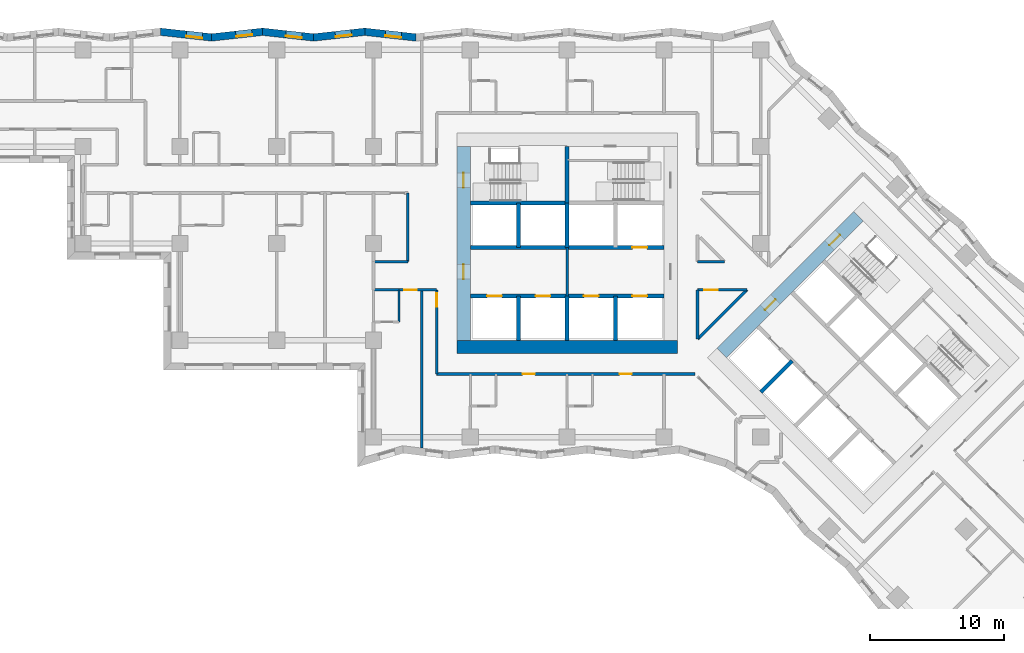
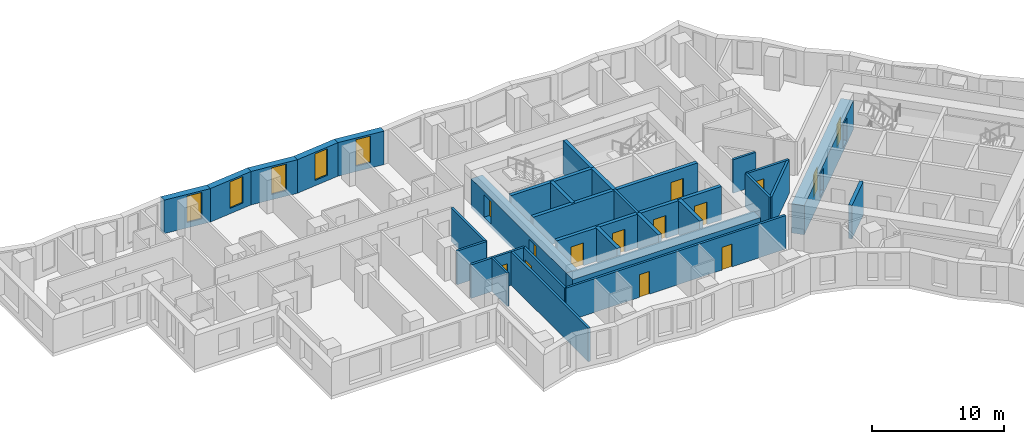
# One storey, part 5 of 13: 30 walls, 14 doors, 5 windows, 19 openings.
"""IFC4 building model written with IfcOpenShell, lengths in metres."""

from ifc_helpers import new_model, si_unit, direction, frame, frame_2d, origin, place, context, subcontext, project, spatial, polyline, rectangle, outline, extrude, material, layer, layer_set, type_object, element, fill, save


model = new_model("IFC4")

# Units and contexts
model_context = context("Model", 3, precision=1e-05, world=origin(), true_north=direction((0.0, 1.0)))
body_context = subcontext(model_context, "Body", "Model", "MODEL_VIEW")
ifc_project = project(units=[si_unit("LENGTHUNIT", "METRE"), si_unit("AREAUNIT", "SQUARE_METRE"), si_unit("VOLUMEUNIT", "CUBIC_METRE"), si_unit("PLANEANGLEUNIT", "RADIAN"), si_unit("MASSUNIT", "GRAM", prefix="KILO")], contexts=[model_context])

# Site, building, storey
site_placement = place(None, origin())
site = spatial("IfcSite", under=ifc_project, at=site_placement, CompositionType="ELEMENT")
building_placement = place(site_placement, origin())
building = spatial("IfcBuilding", under=site, at=building_placement, Name="Windrow Commons", CompositionType="ELEMENT")
storey_placement = place(building_placement, frame((0.0, 0.0, 40.6)))
storey = spatial("IfcBuildingStorey", under=building, at=storey_placement, Name="L10", CompositionType="ELEMENT", Elevation=40.6)

# Wall, opening, window
ifc_material_1 = material(Name="Brick masonry, red clay brick", Category="masonry")
ifc_layer_1 = layer(ifc_material_1, 0.55)
ifc_layer_set_1 = layer_set([ifc_layer_1], Name="Brick facade wall 550")
wall_type_1 = type_object("IfcWallType", Name="Brick facade wall 550", PredefinedType="SOLIDWALL", material=ifc_layer_set_1)
wall_1_placement = place(storey_placement, frame((53.5458, 72.9233, 0.0), z_axis=(0.0, 0.0, 1.0), x_axis=(-0.99390702, 0.1102217568, 0.0)))
wall_1 = element("IfcWall", 1, at=wall_1_placement, inside=storey, type_object=wall_type_1, Name="Brick facade wall L10 30", PredefinedType="SOLIDWALL", context=body_context, shape_type="SweptSolid", body=[
    extrude(outline(polyline([(0.0305, -0.275), (3.8501, -0.275), (3.7891, 0.275), (-0.0305, 0.275), (0.0305, -0.275)])), origin(), (0.0, 0.0, 1.0), 3.1),
])
opening_1_placement = place(wall_1_placement, frame((1.0826, 0.0, 0.5)))
opening_1 = element("IfcOpeningElement", 2, at=opening_1_placement, cuts=wall_1, Name="Opening W7D", PredefinedType="OPENING", context=body_context, shape_type="SweptSolid", body=[
    extrude(rectangle(XDim=1.2, YDim=2.45, at=frame_2d((0.6, 1.225))), frame((0.0, 0.285, 0.0), z_axis=(0.0, -1.0, 0.0), x_axis=(1.0, 0.0, 0.0)), (0.0, 0.0, 1.0), 0.57),
])
ifc_material_2 = material(Name="Clear float glass in anodised aluminium frame", Category="aluminium")
window_type = type_object("IfcWindowType", Name="Window W7 notch 1200x2450", PartitioningType="SINGLE_PANEL", PredefinedType="WINDOW", material=ifc_material_2)
window_1_placement = place(opening_1_placement, origin())
window_1 = element("IfcWindow", 3, at=window_1_placement, inside=storey, type_object=window_type, Name="Window L10 30.1", OverallHeight=2.45, OverallWidth=1.2, PartitioningType="SINGLE_PANEL", PredefinedType="WINDOW", context=body_context, shape_type="SweptSolid", body=[
    extrude(rectangle(XDim=1.2, YDim=2.45, at=frame_2d((0.6, 1.225))), frame((0.0, 0.155, 0.0), z_axis=(0.0, -1.0, 0.0), x_axis=(1.0, 0.0, 0.0)), (0.0, 0.0, 1.0), 0.06),
])
fill(opening_1, window_1)

wall_2_placement = place(storey_placement, frame((49.7495, 73.3443, 0.0), z_axis=(0.0, 0.0, 1.0), x_axis=(-0.99390702, -0.1102217568, 0.0)))
wall_2 = element("IfcWall", 4, at=wall_2_placement, inside=storey, type_object=wall_type_1, Name="Brick facade wall L10 31", PredefinedType="SOLIDWALL", context=body_context, shape_type="SweptSolid", body=[
    extrude(outline(polyline([(-0.0305, -0.275), (3.7891, -0.275), (3.8501, 0.275), (0.0305, 0.275), (-0.0305, -0.275)])), origin(), (0.0, 0.0, 1.0), 3.1),
])
opening_2_placement = place(wall_2_placement, frame((0.999, 0.0, 0.5)))
opening_2 = element("IfcOpeningElement", 5, at=opening_2_placement, cuts=wall_2, Name="Opening W7D", PredefinedType="OPENING", context=body_context, shape_type="SweptSolid", body=[
    extrude(rectangle(XDim=1.2, YDim=2.45, at=frame_2d((0.6, 1.225))), frame((0.0, 0.285, 0.0), z_axis=(0.0, -1.0, 0.0), x_axis=(1.0, 0.0, 0.0)), (0.0, 0.0, 1.0), 0.57),
])
window_2_placement = place(opening_2_placement, origin())
window_2 = element("IfcWindow", 6, at=window_2_placement, inside=storey, type_object=window_type, Name="Window L10 31.1", OverallHeight=2.45, OverallWidth=1.2, PartitioningType="SINGLE_PANEL", PredefinedType="WINDOW", context=body_context, shape_type="SweptSolid", body=[
    extrude(rectangle(XDim=1.2, YDim=2.45, at=frame_2d((0.6, 1.225))), frame((0.0, 0.155, 0.0), z_axis=(0.0, -1.0, 0.0), x_axis=(1.0, 0.0, 0.0)), (0.0, 0.0, 1.0), 0.06),
])
fill(opening_2, window_2)

wall_3_placement = place(storey_placement, frame((45.9532, 72.9233, 0.0), z_axis=(0.0, 0.0, 1.0), x_axis=(-0.99390702, 0.1102217568, 0.0)))
wall_3 = element("IfcWall", 7, at=wall_3_placement, inside=storey, type_object=wall_type_1, Name="Brick facade wall L10 32", PredefinedType="SOLIDWALL", context=body_context, shape_type="SweptSolid", body=[
    extrude(outline(polyline([(0.0305, -0.275), (3.8501, -0.275), (3.7891, 0.275), (-0.0305, 0.275), (0.0305, -0.275)])), origin(), (0.0, 0.0, 1.0), 3.1),
])
opening_3_placement = place(wall_3_placement, frame((0.885, 0.0, 0.5)))
opening_3 = element("IfcOpeningElement", 8, at=opening_3_placement, cuts=wall_3, Name="Opening W7D", PredefinedType="OPENING", context=body_context, shape_type="SweptSolid", body=[
    extrude(rectangle(XDim=1.2, YDim=2.45, at=frame_2d((0.6, 1.225))), frame((0.0, 0.285, 0.0), z_axis=(0.0, -1.0, 0.0), x_axis=(1.0, 0.0, 0.0)), (0.0, 0.0, 1.0), 0.57),
])
window_3_placement = place(opening_3_placement, origin())
window_3 = element("IfcWindow", 9, at=window_3_placement, inside=storey, type_object=window_type, Name="Window L10 32.1", OverallHeight=2.45, OverallWidth=1.2, PartitioningType="SINGLE_PANEL", PredefinedType="WINDOW", context=body_context, shape_type="SweptSolid", body=[
    extrude(rectangle(XDim=1.2, YDim=2.45, at=frame_2d((0.6, 1.225))), frame((0.0, 0.155, 0.0), z_axis=(0.0, -1.0, 0.0), x_axis=(1.0, 0.0, 0.0)), (0.0, 0.0, 1.0), 0.06),
])
fill(opening_3, window_3)

wall_4_placement = place(storey_placement, frame((42.1569, 73.3443, 0.0), z_axis=(0.0, 0.0, 1.0), x_axis=(-0.99390702, -0.1102217568, 0.0)))
wall_4 = element("IfcWall", 10, at=wall_4_placement, inside=storey, type_object=wall_type_1, Name="Brick facade wall L10 33", PredefinedType="SOLIDWALL", context=body_context, shape_type="SweptSolid", body=[
    extrude(outline(polyline([(-0.0305, -0.275), (3.7891, -0.275), (3.8501, 0.275), (0.0305, 0.275), (-0.0305, -0.275)])), origin(), (0.0, 0.0, 1.0), 3.1),
])
opening_4_placement = place(wall_4_placement, frame((0.8015, 0.0, 0.5)))
opening_4 = element("IfcOpeningElement", 11, at=opening_4_placement, cuts=wall_4, Name="Opening W7D", PredefinedType="OPENING", context=body_context, shape_type="SweptSolid", body=[
    extrude(rectangle(XDim=1.2, YDim=2.45, at=frame_2d((0.6, 1.225))), frame((0.0, 0.285, 0.0), z_axis=(0.0, -1.0, 0.0), x_axis=(1.0, 0.0, 0.0)), (0.0, 0.0, 1.0), 0.57),
])
window_4_placement = place(opening_4_placement, origin())
window_4 = element("IfcWindow", 12, at=window_4_placement, inside=storey, type_object=window_type, Name="Window L10 33.1", OverallHeight=2.45, OverallWidth=1.2, PartitioningType="SINGLE_PANEL", PredefinedType="WINDOW", context=body_context, shape_type="SweptSolid", body=[
    extrude(rectangle(XDim=1.2, YDim=2.45, at=frame_2d((0.6, 1.225))), frame((0.0, 0.155, 0.0), z_axis=(0.0, -1.0, 0.0), x_axis=(1.0, 0.0, 0.0)), (0.0, 0.0, 1.0), 0.06),
])
fill(opening_4, window_4)

wall_5_placement = place(storey_placement, frame((38.3606, 72.9233, 0.0), z_axis=(0.0, 0.0, 1.0), x_axis=(-0.99390702, 0.1102217568, 0.0)))
wall_5 = element("IfcWall", 13, at=wall_5_placement, inside=storey, type_object=wall_type_1, Name="Brick facade wall L10 34", PredefinedType="SOLIDWALL", context=body_context, shape_type="SweptSolid", body=[
    extrude(outline(polyline([(0.0305, -0.275), (3.8501, -0.275), (3.7891, 0.275), (-0.0305, 0.275), (0.0305, -0.275)])), origin(), (0.0, 0.0, 1.0), 3.1),
])
opening_5_placement = place(wall_5_placement, frame((0.6875, 0.0, 0.5)))
opening_5 = element("IfcOpeningElement", 14, at=opening_5_placement, cuts=wall_5, Name="Opening W7D", PredefinedType="OPENING", context=body_context, shape_type="SweptSolid", body=[
    extrude(rectangle(XDim=1.2, YDim=2.45, at=frame_2d((0.6, 1.225))), frame((0.0, 0.285, 0.0), z_axis=(0.0, -1.0, 0.0), x_axis=(1.0, 0.0, 0.0)), (0.0, 0.0, 1.0), 0.57),
])
window_5_placement = place(opening_5_placement, origin())
window_5 = element("IfcWindow", 15, at=window_5_placement, inside=storey, type_object=window_type, Name="Window L10 34.1", OverallHeight=2.45, OverallWidth=1.2, PartitioningType="SINGLE_PANEL", PredefinedType="WINDOW", context=body_context, shape_type="SweptSolid", body=[
    extrude(rectangle(XDim=1.2, YDim=2.45, at=frame_2d((0.6, 1.225))), frame((0.0, 0.155, 0.0), z_axis=(0.0, -1.0, 0.0), x_axis=(1.0, 0.0, 0.0)), (0.0, 0.0, 1.0), 0.06),
])
fill(opening_5, window_5)

# Wall
ifc_material_3 = material(Name="Blockwork partition", Category="masonry")
ifc_layer_2 = layer(ifc_material_3, 0.2)
ifc_layer_set_2 = layer_set([ifc_layer_2], Name="Fire lobby partition 200")
wall_type_2 = type_object("IfcWallType", Name="Fire lobby partition 200", PredefinedType="PARTITIONING", material=ifc_layer_set_2)
wall_6_placement = place(storey_placement, frame((64.8, 53.7, 0.0), z_axis=(0.0, 0.0, 1.0), x_axis=(0.0, 1.0, 0.0)))
element("IfcWall", 16, at=wall_6_placement, inside=storey, type_object=wall_type_2, Name="W-core-lobby-A-L10", PredefinedType="PARTITIONING", context=body_context, shape_type="SweptSolid", body=[
    extrude(rectangle(XDim=3.6, YDim=0.2, at=frame_2d((1.8, 0.0))), origin(), (0.0, 0.0, 1.0), 3.1),
])

# Wall, openings, doors
ifc_material_4 = material(Name="Blockwork partition", Category="masonry")
ifc_layer_3 = layer(ifc_material_4, 0.2)
ifc_layer_set_3 = layer_set([ifc_layer_3], Name="IW-CORRIDOR-200")
wall_type_3 = type_object("IfcWallType", Name="IW-CORRIDOR-200", PredefinedType="PARTITIONING", material=ifc_layer_set_3)
wall_7_placement = place(storey_placement, frame((55.1, 47.9, 0.0), z_axis=(0.0, 0.0, 1.0), x_axis=(1.0, 0.0, 0.0)))
wall_7 = element("IfcWall", 17, at=wall_7_placement, inside=storey, type_object=wall_type_3, Name="W-L10-W003", PredefinedType="PARTITIONING", context=body_context, shape_type="SweptSolid", body=[
    extrude(rectangle(XDim=19.204, YDim=0.2, at=frame_2d((9.602, 0.0))), origin(), (0.0, 0.0, 1.0), 3.1),
])
opening_6_placement = place(wall_7_placement, frame((6.3994, 0.0, 0.0)))
opening_6 = element("IfcOpeningElement", 18, at=opening_6_placement, cuts=wall_7, Name="Opening D109F", PredefinedType="OPENING", context=body_context, shape_type="SweptSolid", body=[
    extrude(rectangle(XDim=0.9, YDim=2.1, at=frame_2d((0.45, 1.05))), frame((0.0, 0.11, 0.0), z_axis=(0.0, -1.0, 0.0), x_axis=(1.0, 0.0, 0.0)), (0.0, 0.0, 1.0), 0.22),
])
opening_7_placement = place(wall_7_placement, frame((13.5994, 0.0, 0.0)))
opening_7 = element("IfcOpeningElement", 19, at=opening_7_placement, cuts=wall_7, Name="Opening D109F", PredefinedType="OPENING", context=body_context, shape_type="SweptSolid", body=[
    extrude(rectangle(XDim=0.9, YDim=2.1, at=frame_2d((0.45, 1.05))), frame((0.0, 0.11, 0.0), z_axis=(0.0, -1.0, 0.0), x_axis=(1.0, 0.0, 0.0)), (0.0, 0.0, 1.0), 0.22),
])
ifc_material_5 = material(Name="Timber door leaf", Category="wood")
door_type_1 = type_object("IfcDoorType", Name="DT-BEDROOM-900", OperationType="SINGLE_SWING_LEFT", PredefinedType="DOOR", material=ifc_material_5)
door_1_placement = place(opening_6_placement, origin())
door_1 = element("IfcDoor", 20, at=door_1_placement, inside=storey, type_object=door_type_1, Name="D-L10-D032", OperationType="SINGLE_SWING_LEFT", OverallHeight=2.1, OverallWidth=0.9, PredefinedType="DOOR", context=body_context, shape_type="SweptSolid", body=[
    extrude(rectangle(XDim=0.9, YDim=2.1, at=frame_2d((0.45, 1.05))), frame((0.0, 0.025, 0.0), z_axis=(0.0, -1.0, 0.0), x_axis=(1.0, 0.0, 0.0)), (0.0, 0.0, 1.0), 0.05),
])
fill(opening_6, door_1)
door_2_placement = place(opening_7_placement, origin())
door_2 = element("IfcDoor", 21, at=door_2_placement, inside=storey, type_object=door_type_1, Name="D-L10-D034", OperationType="SINGLE_SWING_LEFT", OverallHeight=2.1, OverallWidth=0.9, PredefinedType="DOOR", context=body_context, shape_type="SweptSolid", body=[
    extrude(rectangle(XDim=0.9, YDim=2.1, at=frame_2d((0.45, 1.05))), frame((0.0, 0.025, 0.0), z_axis=(0.0, -1.0, 0.0), x_axis=(1.0, 0.0, 0.0)), (0.0, 0.0, 1.0), 0.05),
])
fill(opening_7, door_2)

# Wall, opening, door
wall_8_placement = place(storey_placement, frame((55.1, 47.9, 0.0), z_axis=(0.0, 0.0, 1.0), x_axis=(0.0, 1.0, 0.0)))
wall_8 = element("IfcWall", 22, at=wall_8_placement, inside=storey, type_object=wall_type_3, Name="W-L10-W023", PredefinedType="PARTITIONING", context=body_context, shape_type="SweptSolid", body=[
    extrude(rectangle(XDim=6.25, YDim=0.2, at=frame_2d((3.125, 0.0))), origin(), (0.0, 0.0, 1.0), 3.1),
])
opening_8_placement = place(wall_8_placement, frame((4.9905, 0.0, 0.0)))
opening_8 = element("IfcOpeningElement", 23, at=opening_8_placement, cuts=wall_8, Name="Opening D310F", PredefinedType="OPENING", context=body_context, shape_type="SweptSolid", body=[
    extrude(rectangle(XDim=1.0, YDim=2.1, at=frame_2d((0.5, 1.05))), frame((0.0, 0.11, 0.0), z_axis=(0.0, -1.0, 0.0), x_axis=(1.0, 0.0, 0.0)), (0.0, 0.0, 1.0), 0.22),
])
ifc_material_6 = material(Name="Timber door leaf", Category="wood")
door_type_2 = type_object("IfcDoorType", Name="DT-AMENITY-1000", OperationType="SINGLE_SWING_LEFT", PredefinedType="DOOR", material=ifc_material_6)
door_3_placement = place(opening_8_placement, origin())
door_3 = element("IfcDoor", 24, at=door_3_placement, inside=storey, type_object=door_type_2, Name="D-L10-D027", OperationType="SINGLE_SWING_RIGHT", OverallHeight=2.1, OverallWidth=1.0, PredefinedType="DOOR", context=body_context, shape_type="SweptSolid", body=[
    extrude(rectangle(XDim=1.0, YDim=2.1, at=frame_2d((0.5, 1.05))), frame((0.0, 0.025, 0.0), z_axis=(0.0, -1.0, 0.0), x_axis=(1.0, 0.0, 0.0)), (0.0, 0.0, 1.0), 0.05),
])
fill(opening_8, door_3)

# Walls
wall_9_placement = place(storey_placement, frame((74.5167, 50.4893, 0.0), z_axis=(0.0, 0.0, 1.0), x_axis=(0.7071067812, 0.7071067812, 0.0)))
element("IfcWall", 25, at=wall_9_placement, inside=storey, type_object=wall_type_3, Name="W-L10-W039", PredefinedType="PARTITIONING", context=body_context, shape_type="SweptSolid", body=[
    extrude(rectangle(XDim=5.176, YDim=0.2, at=frame_2d((2.588, 0.0))), origin(), (0.0, 0.0, 1.0), 3.1),
])
wall_10_placement = place(storey_placement, frame((52.95, 56.252, 0.0), z_axis=(0.0, 0.0, 1.0), x_axis=(0.0, 1.0, 0.0)))
element("IfcWall", 26, at=wall_10_placement, inside=storey, type_object=wall_type_3, Name="W-L10-W040", PredefinedType="PARTITIONING", context=body_context, shape_type="SweptSolid", body=[
    extrude(rectangle(XDim=5.098, YDim=0.2, at=frame_2d((2.549, 0.0))), origin(), (0.0, 0.0, 1.0), 3.1),
])

# Wall, opening, door
wall_11_placement = place(storey_placement, frame((50.4, 54.15, 0.0), z_axis=(0.0, 0.0, 1.0), x_axis=(1.0, 0.0, 0.0)))
wall_11 = element("IfcWall", 27, at=wall_11_placement, inside=storey, type_object=wall_type_3, Name="W-L10-W042", PredefinedType="PARTITIONING", context=body_context, shape_type="SweptSolid", body=[
    extrude(rectangle(XDim=4.7, YDim=0.2, at=frame_2d((2.35, 0.0))), origin(), (0.0, 0.0, 1.0), 3.1),
])
opening_9_placement = place(wall_11_placement, frame((2.3, 0.0, 0.0)))
opening_9 = element("IfcOpeningElement", 28, at=opening_9_placement, cuts=wall_11, Name="Opening D109S", PredefinedType="OPENING", context=body_context, shape_type="SweptSolid", body=[
    extrude(rectangle(XDim=0.9, YDim=2.1, at=frame_2d((0.45, 1.05))), frame((0.0, 0.11, 0.0), z_axis=(0.0, -1.0, 0.0), x_axis=(1.0, 0.0, 0.0)), (0.0, 0.0, 1.0), 0.22),
])
door_4_placement = place(opening_9_placement, origin())
door_4 = element("IfcDoor", 29, at=door_4_placement, inside=storey, type_object=door_type_1, Name="D-L10-D025", OperationType="SINGLE_SWING_LEFT", OverallHeight=2.1, OverallWidth=0.9, PredefinedType="DOOR", context=body_context, shape_type="SweptSolid", body=[
    extrude(rectangle(XDim=0.9, YDim=2.1, at=frame_2d((0.45, 1.05))), frame((0.0, 0.025, 0.0), z_axis=(0.0, -1.0, 0.0), x_axis=(1.0, 0.0, 0.0)), (0.0, 0.0, 1.0), 0.05),
])
fill(opening_9, door_4)

wall_12_placement = place(storey_placement, frame((74.51, 54.15, 0.0), z_axis=(0.0, 0.0, 1.0), x_axis=(1.0, 0.0, 0.0)))
wall_12 = element("IfcWall", 30, at=wall_12_placement, inside=storey, type_object=wall_type_3, Name="W-L10-W053", PredefinedType="PARTITIONING", context=body_context, shape_type="SweptSolid", body=[
    extrude(rectangle(XDim=3.666, YDim=0.2, at=frame_2d((1.833, 0.0))), origin(), (0.0, 0.0, 1.0), 3.1),
])
opening_10_placement = place(wall_12_placement, frame((0.5025, 0.0, 0.0)))
opening_10 = element("IfcOpeningElement", 31, at=opening_10_placement, cuts=wall_12, Name="Opening D310F", PredefinedType="OPENING", context=body_context, shape_type="SweptSolid", body=[
    extrude(rectangle(XDim=1.0, YDim=2.1, at=frame_2d((0.5, 1.05))), frame((0.0, 0.11, 0.0), z_axis=(0.0, -1.0, 0.0), x_axis=(1.0, 0.0, 0.0)), (0.0, 0.0, 1.0), 0.22),
])
door_5_placement = place(opening_10_placement, origin())
door_5 = element("IfcDoor", 32, at=door_5_placement, inside=storey, type_object=door_type_2, Name="D-L10-D000", OperationType="SINGLE_SWING_RIGHT", OverallHeight=2.1, OverallWidth=1.0, PredefinedType="DOOR", context=body_context, shape_type="SweptSolid", body=[
    extrude(rectangle(XDim=1.0, YDim=2.1, at=frame_2d((0.5, 1.05))), frame((0.0, 0.025, 0.0), z_axis=(0.0, -1.0, 0.0), x_axis=(1.0, 0.0, 0.0)), (0.0, 0.0, 1.0), 0.05),
])
fill(opening_10, door_5)

# Walls
wall_13_placement = place(storey_placement, frame((74.5, 50.496, 0.0), z_axis=(0.0, 0.0, 1.0), x_axis=(0.0, 1.0, 0.0)))
element("IfcWall", 33, at=wall_13_placement, inside=storey, type_object=wall_type_3, Name="W-L10-W054", PredefinedType="PARTITIONING", context=body_context, shape_type="SweptSolid", body=[
    extrude(rectangle(XDim=3.644, YDim=0.2, at=frame_2d((1.822, 0.0))), origin(), (0.0, 0.0, 1.0), 3.1),
])
wall_14_placement = place(storey_placement, frame((50.4, 56.25, 0.0), z_axis=(0.0, 0.0, 1.0), x_axis=(1.0, 0.0, 0.0)))
element("IfcWall", 34, at=wall_14_placement, inside=storey, type_object=wall_type_3, Name="W-L10-W066", PredefinedType="PARTITIONING", context=body_context, shape_type="SweptSolid", body=[
    extrude(rectangle(XDim=2.55, YDim=0.2, at=frame_2d((1.275, 0.0))), origin(), (0.0, 0.0, 1.0), 3.1),
])
wall_15_placement = place(storey_placement, frame((74.51, 56.25, 0.0), z_axis=(0.0, 0.0, 1.0), x_axis=(1.0, 0.0, 0.0)))
element("IfcWall", 35, at=wall_15_placement, inside=storey, type_object=wall_type_3, Name="W-L10-W121", PredefinedType="PARTITIONING", context=body_context, shape_type="SweptSolid", body=[
    extrude(rectangle(XDim=1.982, YDim=0.2, at=frame_2d((0.991, 0.0))), origin(), (0.0, 0.0, 1.0), 3.1),
])
ifc_material_7 = material(Name="Blockwork partition", Category="masonry")
ifc_layer_4 = layer(ifc_material_7, 0.15)
ifc_layer_set_4 = layer_set([ifc_layer_4], Name="IW-ENSUITE-150")
wall_type_4 = type_object("IfcWallType", Name="IW-ENSUITE-150", PredefinedType="PARTITIONING", material=ifc_layer_set_4)
wall_16_placement = place(storey_placement, frame((52.3, 51.75, 0.0), z_axis=(0.0, 0.0, 1.0), x_axis=(0.0, 1.0, 0.0)))
element("IfcWall", 36, at=wall_16_placement, inside=storey, type_object=wall_type_4, Name="W-L10-W086", PredefinedType="PARTITIONING", context=body_context, shape_type="SweptSolid", body=[
    extrude(rectangle(XDim=2.4, YDim=0.15, at=frame_2d((1.2, 0.0))), origin(), (0.0, 0.0, 1.0), 3.1),
])
ifc_material_8 = material(Name="Blockwork partition", Category="masonry")
ifc_layer_5 = layer(ifc_material_8, 0.2)
ifc_layer_set_5 = layer_set([ifc_layer_5], Name="IW-PARTY-200")
wall_type_5 = type_object("IfcWallType", Name="IW-PARTY-200", PredefinedType="PARTITIONING", material=ifc_layer_set_5)
wall_17_placement = place(storey_placement, frame((54.0, 42.3837, 0.0), z_axis=(0.0, 0.0, 1.0), x_axis=(0.0, 1.0, 0.0)))
element("IfcWall", 37, at=wall_17_placement, inside=storey, type_object=wall_type_5, Name="W-L10-W008", PredefinedType="PARTITIONING", context=body_context, shape_type="SweptSolid", body=[
    extrude(rectangle(XDim=11.7663, YDim=0.2, at=frame_2d((5.8831, 0.0))), origin(), (0.0, 0.0, 1.0), 3.1),
])
ifc_material_9 = material(Name="Concrete C60/75", Category="concrete")
ifc_layer_6 = layer(ifc_material_9, 1.0)
ifc_layer_set_6 = layer_set([ifc_layer_6], Name="RC CORE WALL 1000 C60/75")
wall_type_6 = type_object("IfcWallType", Name="RC CORE WALL 1000 C60/75", PredefinedType="SHEAR", material=ifc_layer_set_6)
wall_18_placement = place(storey_placement, frame((56.6, 49.9, -0.3), z_axis=(0.0, 0.0, 1.0), x_axis=(1.0, 0.0, 0.0)))
element("IfcWall", 38, at=wall_18_placement, inside=storey, type_object=wall_type_6, Name="Core A wall outer-S", PredefinedType="SHEAR", context=body_context, shape_type="SweptSolid", body=[
    extrude(rectangle(XDim=16.4, YDim=1.0, at=frame_2d((8.2, 0.0))), origin(), (0.0, 0.0, 1.0), 2.7),
])

# Wall, openings, doors
wall_19_placement = place(storey_placement, frame((57.1, 50.4, -0.3), z_axis=(0.0, 0.0, 1.0), x_axis=(0.0, 1.0, 0.0)))
wall_19 = element("IfcWall", 39, at=wall_19_placement, inside=storey, type_object=wall_type_6, Name="Core A wall outer-W", PredefinedType="SHEAR", context=body_context, shape_type="SweptSolid", body=[
    extrude(rectangle(XDim=14.4, YDim=1.0, at=frame_2d((7.2, 0.0))), origin(), (0.0, 0.0, 1.0), 2.7),
])
opening_11_placement = place(wall_19_placement, frame((4.55, 0.0, 0.3)))
opening_11 = element("IfcOpeningElement", 40, at=opening_11_placement, cuts=wall_19, Name="Opening D6", PredefinedType="OPENING", context=body_context, shape_type="SweptSolid", body=[
    extrude(rectangle(XDim=1.1, YDim=2.1, at=frame_2d((0.55, 1.05))), frame((0.0, 0.51, 0.0), z_axis=(0.0, -1.0, 0.0), x_axis=(1.0, 0.0, 0.0)), (0.0, 0.0, 1.0), 1.02),
])
opening_12_placement = place(wall_19_placement, frame((11.35, 0.0, 0.3)))
opening_12 = element("IfcOpeningElement", 41, at=opening_12_placement, cuts=wall_19, Name="Opening D7", PredefinedType="OPENING", context=body_context, shape_type="SweptSolid", body=[
    extrude(rectangle(XDim=1.1, YDim=2.1, at=frame_2d((0.55, 1.05))), frame((0.0, 0.51, 0.0), z_axis=(0.0, -1.0, 0.0), x_axis=(1.0, 0.0, 0.0)), (0.0, 0.0, 1.0), 1.02),
])
ifc_material_10 = material(Name="Steel fire door leaf", Category="steel")
door_type_3 = type_object("IfcDoorType", Name="Core lobby door 1100", OperationType="SINGLE_SWING_LEFT", PredefinedType="DOOR", material=ifc_material_10)
door_6_placement = place(opening_11_placement, origin())
door_6 = element("IfcDoor", 42, at=door_6_placement, inside=storey, type_object=door_type_3, Name="Lift lobby door", OperationType="DOUBLE_DOOR_SINGLE_SWING", OverallHeight=2.1, OverallWidth=1.1, PredefinedType="DOOR", context=body_context, shape_type="SweptSolid", body=[
    extrude(rectangle(XDim=1.1, YDim=2.1, at=frame_2d((0.55, 1.05))), frame((0.0, 0.025, 0.0), z_axis=(0.0, -1.0, 0.0), x_axis=(1.0, 0.0, 0.0)), (0.0, 0.0, 1.0), 0.05),
])
fill(opening_11, door_6)
ifc_material_11 = material(Name="Steel fire door leaf", Category="steel")
door_type_4 = type_object("IfcDoorType", Name="Stair door 1100", OperationType="SINGLE_SWING_LEFT", PredefinedType="DOOR", material=ifc_material_11)
door_7_placement = place(opening_12_placement, origin())
door_7 = element("IfcDoor", 43, at=door_7_placement, inside=storey, type_object=door_type_4, Name="Stair door", OperationType="SINGLE_SWING_LEFT", OverallHeight=2.1, OverallWidth=1.1, PredefinedType="DOOR", context=body_context, shape_type="SweptSolid", body=[
    extrude(rectangle(XDim=1.1, YDim=2.1, at=frame_2d((0.55, 1.05))), frame((0.0, 0.025, 0.0), z_axis=(0.0, -1.0, 0.0), x_axis=(1.0, 0.0, 0.0)), (0.0, 0.0, 1.0), 0.05),
])
fill(opening_12, door_7)

wall_20_placement = place(storey_placement, frame((76.3009, 49.4433, -0.3), z_axis=(0.0, 0.0, 1.0), x_axis=(0.7071067812, 0.7071067812, 0.0)))
wall_20 = element("IfcWall", 44, at=wall_20_placement, inside=storey, type_object=wall_type_6, Name="Core B wall outer-W", PredefinedType="SHEAR", context=body_context, shape_type="SweptSolid", body=[
    extrude(rectangle(XDim=14.3999, YDim=1.0, at=frame_2d((7.2, 0.0))), origin(), (0.0, 0.0, 1.0), 2.7),
])
opening_13_placement = place(wall_20_placement, frame((4.55, 0.0, 0.3)))
opening_13 = element("IfcOpeningElement", 45, at=opening_13_placement, cuts=wall_20, Name="Opening D6", PredefinedType="OPENING", context=body_context, shape_type="SweptSolid", body=[
    extrude(rectangle(XDim=1.1, YDim=2.1, at=frame_2d((0.55, 1.05))), frame((0.0, 0.51, 0.0), z_axis=(0.0, -1.0, 0.0), x_axis=(1.0, 0.0, 0.0)), (0.0, 0.0, 1.0), 1.02),
])
opening_14_placement = place(wall_20_placement, frame((11.35, 0.0, 0.3)))
opening_14 = element("IfcOpeningElement", 46, at=opening_14_placement, cuts=wall_20, Name="Opening D7", PredefinedType="OPENING", context=body_context, shape_type="SweptSolid", body=[
    extrude(rectangle(XDim=1.1, YDim=2.1, at=frame_2d((0.55, 1.05))), frame((0.0, 0.51, 0.0), z_axis=(0.0, -1.0, 0.0), x_axis=(1.0, 0.0, 0.0)), (0.0, 0.0, 1.0), 1.02),
])
door_8_placement = place(opening_13_placement, origin())
door_8 = element("IfcDoor", 47, at=door_8_placement, inside=storey, type_object=door_type_3, Name="Lift lobby door", OperationType="DOUBLE_DOOR_SINGLE_SWING", OverallHeight=2.1, OverallWidth=1.1, PredefinedType="DOOR", context=body_context, shape_type="SweptSolid", body=[
    extrude(rectangle(XDim=1.1, YDim=2.1, at=frame_2d((0.55, 1.05))), frame((0.0, 0.025, 0.0), z_axis=(0.0, -1.0, 0.0), x_axis=(1.0, 0.0, 0.0)), (0.0, 0.0, 1.0), 0.05),
])
fill(opening_13, door_8)
door_9_placement = place(opening_14_placement, origin())
door_9 = element("IfcDoor", 48, at=door_9_placement, inside=storey, type_object=door_type_4, Name="Stair door", OperationType="SINGLE_SWING_LEFT", OverallHeight=2.1, OverallWidth=1.1, PredefinedType="DOOR", context=body_context, shape_type="SweptSolid", body=[
    extrude(rectangle(XDim=1.1, YDim=2.1, at=frame_2d((0.55, 1.05))), frame((0.0, 0.025, 0.0), z_axis=(0.0, -1.0, 0.0), x_axis=(1.0, 0.0, 0.0)), (0.0, 0.0, 1.0), 0.05),
])
fill(opening_14, door_9)

# Walls
ifc_material_12 = material(Name="Concrete C60/75", Category="concrete")
ifc_layer_7 = layer(ifc_material_12, 0.3)
ifc_layer_set_7 = layer_set([ifc_layer_7], Name="RC SHAFT WALL 300 C60/75")
wall_type_7 = type_object("IfcWallType", Name="RC SHAFT WALL 300 C60/75", PredefinedType="SOLIDWALL", material=ifc_layer_set_7)
for number, where, z_axis, x_axis, name in (
    (49, (61.2, 50.4, 0.0), (0.0, 0.0, 1.0), (0.0, 1.0, 0.0), "Core A wall shaft-S1"),
    (50, (61.2, 57.3, 0.0), (0.0, 0.0, 1.0), (0.0, 1.0, 0.0), "Core A wall shaft-N1"),
    (51, (64.8, 50.4, 0.0), (0.0, 0.0, 1.0), (0.0, 1.0, 0.0), "Core A wall shaft-S2"),
    (52, (64.8, 57.3, 0.0), (0.0, 0.0, 1.0), (0.0, 1.0, 0.0), "Core A wall shaft-N2"),
    (53, (68.4, 50.4, 0.0), (0.0, 0.0, 1.0), (0.0, 1.0, 0.0), "Core A wall shaft-S3"),
):
    element("IfcWall", number, at=place(storey_placement, frame(where, z_axis=z_axis, x_axis=x_axis)), inside=storey, type_object=wall_type_7, Name=name, PredefinedType="SOLIDWALL", context=body_context, shape_type="SweptSolid", body=[
        extrude(rectangle(XDim=3.3, YDim=0.3, at=frame_2d((1.65, 0.0))), origin(), (0.0, 0.0, 1.0), 3.1),
    ])

# Wall, openings, doors
wall_21_placement = place(storey_placement, frame((57.6, 53.7, 0.0), z_axis=(0.0, 0.0, 1.0), x_axis=(1.0, 0.0, 0.0)))
wall_21 = element("IfcWall", 54, at=wall_21_placement, inside=storey, type_object=wall_type_7, Name="Core A wall lobby-S", PredefinedType="SOLIDWALL", context=body_context, shape_type="SweptSolid", body=[
    extrude(rectangle(XDim=14.4, YDim=0.3, at=frame_2d((7.2, 0.0))), origin(), (0.0, 0.0, 1.0), 3.1),
])
opening_15_placement = place(wall_21_placement, frame((1.25, 0.0, 0.0)))
opening_15 = element("IfcOpeningElement", 55, at=opening_15_placement, cuts=wall_21, Name="Opening LD", PredefinedType="OPENING", context=body_context, shape_type="SweptSolid", body=[
    extrude(rectangle(XDim=1.1, YDim=2.1, at=frame_2d((0.55, 1.05))), frame((0.0, 0.16, 0.0), z_axis=(0.0, -1.0, 0.0), x_axis=(1.0, 0.0, 0.0)), (0.0, 0.0, 1.0), 0.32),
])
opening_16_placement = place(wall_21_placement, frame((4.85, 0.0, 0.0)))
opening_16 = element("IfcOpeningElement", 56, at=opening_16_placement, cuts=wall_21, Name="Opening LD", PredefinedType="OPENING", context=body_context, shape_type="SweptSolid", body=[
    extrude(rectangle(XDim=1.1, YDim=2.1, at=frame_2d((0.55, 1.05))), frame((0.0, 0.16, 0.0), z_axis=(0.0, -1.0, 0.0), x_axis=(1.0, 0.0, 0.0)), (0.0, 0.0, 1.0), 0.32),
])
opening_17_placement = place(wall_21_placement, frame((8.45, 0.0, 0.0)))
opening_17 = element("IfcOpeningElement", 57, at=opening_17_placement, cuts=wall_21, Name="Opening LD", PredefinedType="OPENING", context=body_context, shape_type="SweptSolid", body=[
    extrude(rectangle(XDim=1.1, YDim=2.1, at=frame_2d((0.55, 1.05))), frame((0.0, 0.16, 0.0), z_axis=(0.0, -1.0, 0.0), x_axis=(1.0, 0.0, 0.0)), (0.0, 0.0, 1.0), 0.32),
])
opening_18_placement = place(wall_21_placement, frame((12.05, 0.0, 0.0)))
opening_18 = element("IfcOpeningElement", 58, at=opening_18_placement, cuts=wall_21, Name="Opening LD", PredefinedType="OPENING", context=body_context, shape_type="SweptSolid", body=[
    extrude(rectangle(XDim=1.1, YDim=2.1, at=frame_2d((0.55, 1.05))), frame((0.0, 0.16, 0.0), z_axis=(0.0, -1.0, 0.0), x_axis=(1.0, 0.0, 0.0)), (0.0, 0.0, 1.0), 0.32),
])
ifc_material_13 = material(Name="Stainless steel door leaf", Category="steel")
door_type_5 = type_object("IfcDoorType", Name="Lift landing door 1100", OperationType="SLIDING_TO_LEFT", PredefinedType="DOOR", material=ifc_material_13)
door_10_placement = place(opening_15_placement, origin())
door_10 = element("IfcDoor", 59, at=door_10_placement, inside=storey, type_object=door_type_5, Name="Lift landing door", OperationType="SLIDING_TO_LEFT", OverallHeight=2.1, OverallWidth=1.1, PredefinedType="DOOR", context=body_context, shape_type="SweptSolid", body=[
    extrude(rectangle(XDim=1.1, YDim=2.1, at=frame_2d((0.55, 1.05))), frame((0.0, 0.025, 0.0), z_axis=(0.0, -1.0, 0.0), x_axis=(1.0, 0.0, 0.0)), (0.0, 0.0, 1.0), 0.05),
])
fill(opening_15, door_10)
door_11_placement = place(opening_16_placement, origin())
door_11 = element("IfcDoor", 60, at=door_11_placement, inside=storey, type_object=door_type_5, Name="Lift landing door", OperationType="SLIDING_TO_RIGHT", OverallHeight=2.1, OverallWidth=1.1, PredefinedType="DOOR", context=body_context, shape_type="SweptSolid", body=[
    extrude(rectangle(XDim=1.1, YDim=2.1, at=frame_2d((0.55, 1.05))), frame((0.0, 0.025, 0.0), z_axis=(0.0, -1.0, 0.0), x_axis=(1.0, 0.0, 0.0)), (0.0, 0.0, 1.0), 0.05),
])
fill(opening_16, door_11)
door_12_placement = place(opening_17_placement, origin())
door_12 = element("IfcDoor", 61, at=door_12_placement, inside=storey, type_object=door_type_5, Name="Lift landing door", OperationType="SLIDING_TO_LEFT", OverallHeight=2.1, OverallWidth=1.1, PredefinedType="DOOR", context=body_context, shape_type="SweptSolid", body=[
    extrude(rectangle(XDim=1.1, YDim=2.1, at=frame_2d((0.55, 1.05))), frame((0.0, 0.025, 0.0), z_axis=(0.0, -1.0, 0.0), x_axis=(1.0, 0.0, 0.0)), (0.0, 0.0, 1.0), 0.05),
])
fill(opening_17, door_12)
door_13_placement = place(opening_18_placement, origin())
door_13 = element("IfcDoor", 62, at=door_13_placement, inside=storey, type_object=door_type_5, Name="Lift landing door", OperationType="SLIDING_TO_RIGHT", OverallHeight=2.1, OverallWidth=1.1, PredefinedType="DOOR", context=body_context, shape_type="SweptSolid", body=[
    extrude(rectangle(XDim=1.1, YDim=2.1, at=frame_2d((0.55, 1.05))), frame((0.0, 0.025, 0.0), z_axis=(0.0, -1.0, 0.0), x_axis=(1.0, 0.0, 0.0)), (0.0, 0.0, 1.0), 0.05),
])
fill(opening_18, door_13)

# Wall, opening, door
wall_22_placement = place(storey_placement, frame((57.6, 57.3, 0.0), z_axis=(0.0, 0.0, 1.0), x_axis=(1.0, 0.0, 0.0)))
wall_22 = element("IfcWall", 63, at=wall_22_placement, inside=storey, type_object=wall_type_7, Name="Core A wall lobby-N", PredefinedType="SOLIDWALL", context=body_context, shape_type="SweptSolid", body=[
    extrude(rectangle(XDim=14.4, YDim=0.3, at=frame_2d((7.2, 0.0))), origin(), (0.0, 0.0, 1.0), 3.1),
])
opening_19_placement = place(wall_22_placement, frame((12.05, 0.0, 0.0)))
opening_19 = element("IfcOpeningElement", 64, at=opening_19_placement, cuts=wall_22, Name="Opening LD", PredefinedType="OPENING", context=body_context, shape_type="SweptSolid", body=[
    extrude(rectangle(XDim=1.1, YDim=2.1, at=frame_2d((0.55, 1.05))), frame((0.0, 0.16, 0.0), z_axis=(0.0, -1.0, 0.0), x_axis=(1.0, 0.0, 0.0)), (0.0, 0.0, 1.0), 0.32),
])
door_14_placement = place(opening_19_placement, origin())
door_14 = element("IfcDoor", 65, at=door_14_placement, inside=storey, type_object=door_type_5, Name="Lift landing door", OperationType="SLIDING_TO_RIGHT", OverallHeight=2.1, OverallWidth=1.1, PredefinedType="DOOR", context=body_context, shape_type="SweptSolid", body=[
    extrude(rectangle(XDim=1.1, YDim=2.1, at=frame_2d((0.55, 1.05))), frame((0.0, 0.025, 0.0), z_axis=(0.0, -1.0, 0.0), x_axis=(1.0, 0.0, 0.0)), (0.0, 0.0, 1.0), 0.05),
])
fill(opening_19, door_14)

# Walls
wall_23_placement = place(storey_placement, frame((57.6, 60.6, 0.0), z_axis=(0.0, 0.0, 1.0), x_axis=(1.0, 0.0, 0.0)))
element("IfcWall", 66, at=wall_23_placement, inside=storey, type_object=wall_type_7, Name="Core A wall stair-S", PredefinedType="SOLIDWALL", context=body_context, shape_type="SweptSolid", body=[
    extrude(rectangle(XDim=7.2, YDim=0.3, at=frame_2d((3.6, 0.0))), origin(), (0.0, 0.0, 1.0), 3.1),
])
wall_24_placement = place(storey_placement, frame((64.8, 60.6, 0.0), z_axis=(0.0, 0.0, 1.0), x_axis=(0.0, 1.0, 0.0)))
element("IfcWall", 67, at=wall_24_placement, inside=storey, type_object=wall_type_7, Name="Core A wall stair-mid", PredefinedType="SOLIDWALL", context=body_context, shape_type="SweptSolid", body=[
    extrude(rectangle(XDim=4.2, YDim=0.3, at=frame_2d((2.1, 0.0))), origin(), (0.0, 0.0, 1.0), 3.1),
])
wall_25_placement = place(storey_placement, frame((79.2, 46.5442, 0.0), z_axis=(0.0, 0.0, 1.0), x_axis=(0.7071219326, 0.7070916295, 0.0)))
element("IfcWall", 68, at=wall_25_placement, inside=storey, type_object=wall_type_7, Name="Core B wall shaft-S1", PredefinedType="SOLIDWALL", context=body_context, shape_type="SweptSolid", body=[
    extrude(rectangle(XDim=3.3, YDim=0.3, at=frame_2d((1.65, 0.0))), origin(), (0.0, 0.0, 1.0), 3.1),
])

save(model, "model.ifc")
